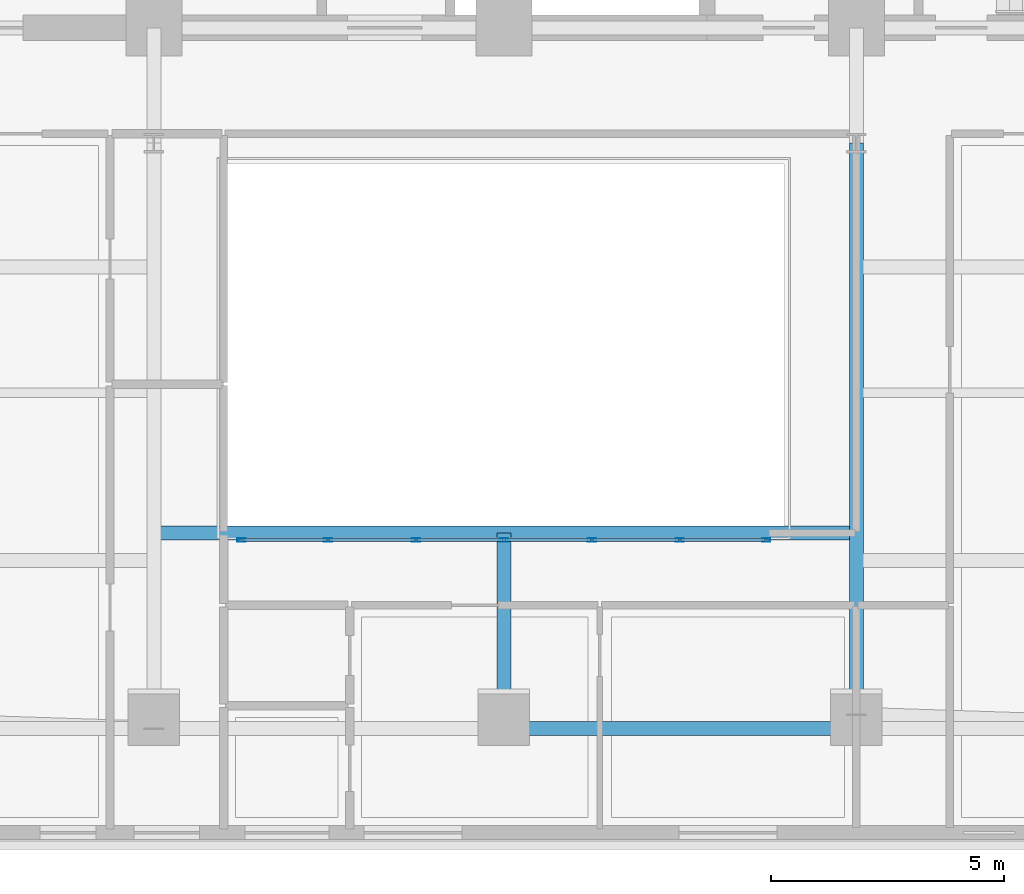
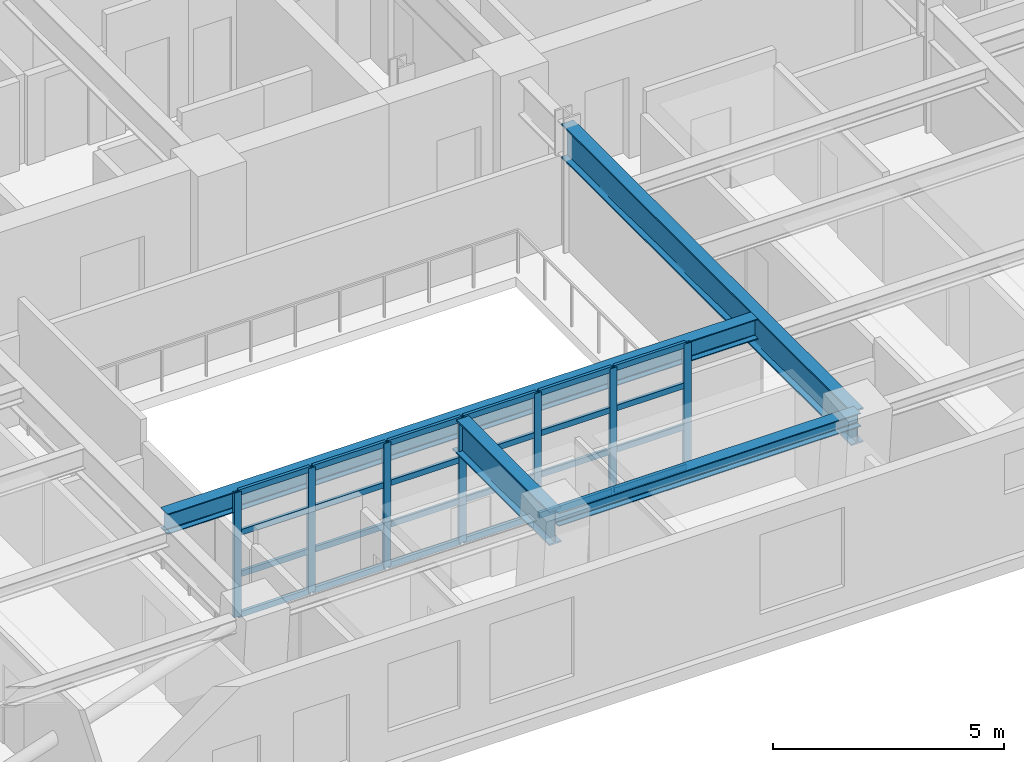
# One storey, part 2 of 12: 31 members, 4 beams, 1 element without a shape of its own.
"""IFC4 building model written with IfcOpenShell, lengths in metres."""

import ifcopenshell
import ifcopenshell.guid

model = None  # the IFC model being written
_history = None  # IfcOwnerHistory: only IFC2X3 demands one
_inside = {}  # id of a spatial element -> (the spatial element, [elements in it])
_under = {}  # id of a project, library or spatial element -> (it, [spatial elements below it])
_declared = {}  # id of a project -> (the project, [libraries it declares])
_typed = {}  # id of a type object -> (the type object, [elements of that type])
_made_of = {}  # id of a material, layer set ... -> (it, [elements and type objects made of it])


def new_model(schema):
    """Start an empty IFC model of exactly this schema.

    Asked for "IFC4X3", IfcOpenShell would pick the latest addendum, in which some entities
    have other attributes; the version numbers below select the first issue.
    IFC2X3 requires an IfcOwnerHistory on every rooted entity: one is made here for all.
    """
    global model, _history
    if schema == "IFC4X3":
        model = ifcopenshell.file(schema_version=(4, 3, 0, 0))
    else:
        model = ifcopenshell.file(schema=schema)
    _inside.clear()
    _under.clear()
    _declared.clear()
    _typed.clear()
    _made_of.clear()
    _history = None
    if model.schema == "IFC2X3":
        org = make("IfcOrganization", Name="unknown")
        user = make(
            "IfcPersonAndOrganization",
            ThePerson=make("IfcPerson", FamilyName="unknown"),
            TheOrganization=org,
        )
        app = make(
            "IfcApplication",
            ApplicationDeveloper=org,
            Version="unknown",
            ApplicationFullName="unknown",
            ApplicationIdentifier="unknown",
        )
        _history = make(
            "IfcOwnerHistory",
            OwningUser=user,
            OwningApplication=app,
            ChangeAction="ADDED",
            CreationDate=0,
        )
    return model


def make(cls, **values):
    """One entity of the class cls with the attributes given. An attribute that is None is left unset."""
    return model.create_entity(
        cls, **{name: value for name, value in values.items() if value is not None}
    )


def rooted(cls, **values):
    """An entity with a GlobalId (a new one), such as an element, a storey or a relation."""
    return make(cls, GlobalId=ifcopenshell.guid.new(), OwnerHistory=_history, **values)


def si_unit(unit_type, name, prefix=None):
    """IfcSIUnit, for example si_unit("LENGTHUNIT", "METRE", prefix="MILLI")."""
    return make("IfcSIUnit", UnitType=unit_type, Prefix=prefix, Name=name)


def assignment(units):
    """IfcUnitAssignment: the units of a project."""
    return None if units is None else make("IfcUnitAssignment", Units=units)


def point(xyz):
    """IfcCartesianPoint."""
    return None if xyz is None else make("IfcCartesianPoint", Coordinates=xyz)


def direction(xyz):
    """IfcDirection."""
    return None if xyz is None else make("IfcDirection", DirectionRatios=xyz)


def frame(location, z_axis=None, x_axis=None):
    """IfcAxis2Placement3D, a coordinate frame: its origin and axes. An axis left out is left unset."""
    return make(
        "IfcAxis2Placement3D",
        Location=point(location),
        Axis=direction(z_axis),
        RefDirection=direction(x_axis),
    )


def frame_2d(location, x_axis=None):
    """IfcAxis2Placement2D, a coordinate frame in the plane: its origin and x axis."""
    return make(
        "IfcAxis2Placement2D", Location=point(location), RefDirection=direction(x_axis)
    )


def origin():
    """The frame at (0, 0, 0) with its axes left unset."""
    return frame((0.0, 0.0, 0.0))


def origin_2d():
    """The frame at (0, 0) in the plane with its x axis left unset."""
    return frame_2d((0.0, 0.0))


def place(relative_to, where):
    """IfcLocalPlacement: puts the frame where relative to a parent placement (None: the world)."""
    return make(
        "IfcLocalPlacement", PlacementRelTo=relative_to, RelativePlacement=where
    )


def context(
    kind, dimensions, precision=None, world=None, true_north=None, identifier=None
):
    """IfcGeometricRepresentationContext, for example the 3D "Model" context."""
    return make(
        "IfcGeometricRepresentationContext",
        ContextIdentifier=identifier,
        ContextType=kind,
        CoordinateSpaceDimension=dimensions,
        Precision=precision,
        WorldCoordinateSystem=world,
        TrueNorth=true_north,
    )


def subcontext(parent, identifier, kind, view, scale=None):
    """IfcGeometricRepresentationSubContext, for example "Body" below "Model"."""
    return make(
        "IfcGeometricRepresentationSubContext",
        ContextIdentifier=identifier,
        ContextType=kind,
        ParentContext=parent,
        TargetScale=scale,
        TargetView=view,
    )


def project(units=None, contexts=None):
    """IfcProject with its units and contexts."""
    return rooted(
        "IfcProject",
        Name="project",
        RepresentationContexts=contexts,
        UnitsInContext=assignment(units),
    )


def spatial(cls, under=None, at=None, **own):
    """A site, building, storey or space (cls), placed at a placement, below another one or the project."""
    s = rooted(cls, ObjectPlacement=at, **own)
    if under is not None:
        _under.setdefault(under.id(), (under, []))[1].append(s)
    return s


def profile(cls, at=None, kind="AREA", **sizes):
    """A parametric profile (cls). Its sizes go by their IFC names, for example OverallWidth=200.0."""
    return make(cls, ProfileType=kind, Position=at, **sizes)


def hollow_rectangle(**sizes):
    """IfcRectangleHollowProfileDef."""
    return profile("IfcRectangleHollowProfileDef", **sizes)


def i_section(**sizes):
    """IfcIShapeProfileDef."""
    return profile("IfcIShapeProfileDef", **sizes)


def extrude(swept, where, along, depth):
    """IfcExtrudedAreaSolid: the profile swept, set in the frame where, extruded along a direction by depth."""
    return make(
        "IfcExtrudedAreaSolid",
        SweptArea=swept,
        Position=where,
        ExtrudedDirection=direction(along),
        Depth=depth,
    )


def shape(context_of_items, identifier, shape_type, items):
    """IfcShapeRepresentation: the items that make up one representation, for example the "Body"."""
    return make(
        "IfcShapeRepresentation",
        ContextOfItems=context_of_items,
        RepresentationIdentifier=identifier,
        RepresentationType=shape_type,
        Items=items,
    )


def material(Name=None, Category=None):
    """IfcMaterial."""
    return make("IfcMaterial", Name=Name, Category=Category)


def layer(
    of_material, thickness, ventilated=None, Name=None, Category=None, Priority=None
):
    """IfcMaterialLayer: one layer of a wall or slab, of a material (None: an air gap)."""
    return make(
        "IfcMaterialLayer",
        Material=of_material,
        LayerThickness=thickness,
        IsVentilated=ventilated,
        Name=Name,
        Category=Category,
        Priority=Priority,
    )


def layer_set(layers, Name=None):
    """IfcMaterialLayerSet."""
    return make("IfcMaterialLayerSet", MaterialLayers=layers, LayerSetName=Name)


def material_profile(
    of_material, cross_section, Name=None, Category=None, Priority=None
):
    """IfcMaterialProfile: a cross section and its material."""
    return make(
        "IfcMaterialProfile",
        Name=Name,
        Material=of_material,
        Profile=cross_section,
        Priority=Priority,
        Category=Category,
    )


def profile_set(profiles, Name=None, composite=None):
    """IfcMaterialProfileSet."""
    return make(
        "IfcMaterialProfileSet",
        Name=Name,
        MaterialProfiles=profiles,
        CompositeProfile=composite,
    )


def made_of(thing, what):
    """Note that an element or type object is made of a material, layer set ...; save() writes the relation."""
    if what is not None:
        _made_of.setdefault(what.id(), (what, []))[1].append(thing)
    return thing


def type_object(cls, material=None, **own):
    """A type object (cls), such as IfcWallType, which elements share."""
    return made_of(rooted(cls, **own), material)


def element(
    cls,
    number,
    at=None,
    inside=None,
    cuts=None,
    type_object=None,
    material=None,
    context=None,
    identifier="Body",
    shape_type=None,
    held_by="IfcProductDefinitionShape",
    body=None,
    shapes=None,
    **own,
):
    """One element of the class cls, such as IfcWall. Its Tag is "e" and its number.

    at: its placement. inside: the storey or other place that contains it. cuts: it is an
    opening in that element (IfcRelVoidsElement). A single representation is given by context,
    identifier, shape_type and body (its items); several are given by shapes. held_by: the class
    of the entity that holds the representations. save() writes the other relations.
    """
    e = rooted(cls, Tag="e%d" % number, ObjectPlacement=at, **own)
    if body is not None:
        shapes = [shape(context, identifier, shape_type, body)]
    if shapes is not None:
        e.Representation = make(held_by, Representations=shapes)
    if inside is not None:
        _inside.setdefault(inside.id(), (inside, []))[1].append(e)
    if cuts is not None:
        rooted(
            "IfcRelVoidsElement", RelatingBuildingElement=cuts, RelatedOpeningElement=e
        )
    if type_object is not None:
        _typed.setdefault(type_object.id(), (type_object, []))[1].append(e)
    return made_of(e, material)


def aggregate(whole, parts):
    """IfcRelAggregates: a whole, such as a stair, and the parts it consists of."""
    return rooted("IfcRelAggregates", RelatingObject=whole, RelatedObjects=parts)


def save(model, path):
    """Write the relations noted so far, then the file.

    IfcRelAggregates (storeys below a building ...), IfcRelContainedInSpatialStructure (elements
    in a storey), IfcRelDefinesByType, IfcRelAssociatesMaterial and IfcRelDeclares: one each for
    every whole, place, type object, material and project.
    """
    for whole, parts in _under.values():
        aggregate(whole, parts)
    for where, things in _inside.values():
        rooted(
            "IfcRelContainedInSpatialStructure",
            RelatedElements=things,
            RelatingStructure=where,
        )
    for kind, things in _typed.values():
        rooted("IfcRelDefinesByType", RelatedObjects=things, RelatingType=kind)
    for what, things in _made_of.values():
        rooted("IfcRelAssociatesMaterial", RelatedObjects=things, RelatingMaterial=what)
    for by, libraries in _declared.values():
        rooted("IfcRelDeclares", RelatingContext=by, RelatedDefinitions=libraries)
    model.write(path)


model = new_model("IFC4")

# Units and contexts
model_context = context("Model", 3, precision=1e-05, world=origin(), true_north=direction((0.0, 1.0)))
body_context = subcontext(model_context, "Body", "Model", "MODEL_VIEW")
ifc_project = project(units=[si_unit("LENGTHUNIT", "METRE"), si_unit("AREAUNIT", "SQUARE_METRE"), si_unit("VOLUMEUNIT", "CUBIC_METRE"), si_unit("PLANEANGLEUNIT", "RADIAN"), si_unit("MASSUNIT", "GRAM", prefix="KILO")], contexts=[model_context])

# Site, building, storey
site_placement = place(None, origin())
site = spatial("IfcSite", under=ifc_project, at=site_placement, CompositionType="ELEMENT")
building_placement = place(site_placement, origin())
building = spatial("IfcBuilding", under=site, at=building_placement, Name="Zarnavel Station Tower", CompositionType="ELEMENT")
storey_placement = place(building_placement, frame((0.0, 0.0, 144.800048828125)))
storey = spatial("IfcBuildingStorey", under=building, at=storey_placement, Name="L39", CompositionType="ELEMENT", Elevation=144.800048828125)

# Curtain wall, members
ifc_material_1 = material(Name="Aluminium Dark Anodised and Solar-Control Glass", Category="aluminium")
ifc_layer = layer(ifc_material_1, 0.179931640625)
ifc_layer_set = layer_set([ifc_layer], Name="CWS4")
curtain_wall_type = type_object("IfcCurtainWallType", Name="CWS4", PredefinedType="NOTDEFINED", material=ifc_layer_set)
curtain_wall_placement = place(storey_placement, origin())
curtain_wall = element("IfcCurtainWall", 1, at=curtain_wall_placement, inside=storey, type_object=curtain_wall_type, Name="L39 Curtain Wall CWS4-L39-AS", PredefinedType="NOTDEFINED")
ifc_material_2 = material(Name="Steel S355J2 (Black Fluoropolymer Coated)", Category="steel")
ifc_material_profile_1 = material_profile(ifc_material_2, hollow_rectangle(XDim=0.080078125, YDim=0.179931640625, WallThickness=0.00634765625, at=origin_2d()), Name="RHS180x80x6.3")
ifc_profile_set_1 = profile_set([ifc_material_profile_1], Name="Steel S355J2 (Black Fluoropolymer Coated)")
member_type_1 = type_object("IfcMemberType", Name="CWS4_MUL", PredefinedType="MULLION", material=ifc_profile_set_1)
member_1_placement = place(storey_placement, frame((23.179931640625, 16.85009765625, 0.0), z_axis=(0.0, 0.0, 1.0), x_axis=(0.0, 1.0, 0.0)))
member_1 = element("IfcMember", 2, at=member_1_placement, type_object=member_type_1, Name="CW4 mullion 1", PredefinedType="MULLION", context=body_context, shape_type="SweptSolid", body=[
    extrude(hollow_rectangle(XDim=0.080078125, YDim=0.179931640625, WallThickness=0.00634765625, at=origin_2d()), origin(), (0.0, 0.0, 1.0), 3.2900390625),
])
member_2_placement = place(storey_placement, frame((25.033447265625, 16.85009765625, 0.0), z_axis=(0.0, 0.0, 1.0), x_axis=(0.0, 1.0, 0.0)))
member_2 = element("IfcMember", 3, at=member_2_placement, type_object=member_type_1, Name="CW4 mullion 2", PredefinedType="MULLION", context=body_context, shape_type="SweptSolid", body=[
    extrude(hollow_rectangle(XDim=0.080078125, YDim=0.179931640625, WallThickness=0.00634765625, at=origin_2d()), origin(), (0.0, 0.0, 1.0), 3.2900390625),
])
member_3_placement = place(storey_placement, frame((26.916748046875, 16.85009765625, 0.0), z_axis=(0.0, 0.0, 1.0), x_axis=(0.0, 1.0, 0.0)))
member_3 = element("IfcMember", 4, at=member_3_placement, type_object=member_type_1, Name="CW4 mullion 3", PredefinedType="MULLION", context=body_context, shape_type="SweptSolid", body=[
    extrude(hollow_rectangle(XDim=0.080078125, YDim=0.179931640625, WallThickness=0.00634765625, at=origin_2d()), origin(), (0.0, 0.0, 1.0), 3.2900390625),
])
member_4_placement = place(storey_placement, frame((28.800048828125, 16.85009765625, 0.0), z_axis=(0.0, 0.0, 1.0), x_axis=(0.0, 1.0, 0.0)))
member_4 = element("IfcMember", 5, at=member_4_placement, type_object=member_type_1, Name="CW4 mullion 4", PredefinedType="MULLION", context=body_context, shape_type="SweptSolid", body=[
    extrude(hollow_rectangle(XDim=0.080078125, YDim=0.179931640625, WallThickness=0.00634765625, at=origin_2d()), origin(), (0.0, 0.0, 1.0), 3.2900390625),
])
member_5_placement = place(storey_placement, frame((30.683349609375, 16.85009765625, 0.0), z_axis=(0.0, 0.0, 1.0), x_axis=(0.0, 1.0, 0.0)))
member_5 = element("IfcMember", 6, at=member_5_placement, type_object=member_type_1, Name="CW4 mullion 5", PredefinedType="MULLION", context=body_context, shape_type="SweptSolid", body=[
    extrude(hollow_rectangle(XDim=0.080078125, YDim=0.179931640625, WallThickness=0.00634765625, at=origin_2d()), origin(), (0.0, 0.0, 1.0), 3.2900390625),
])
member_6_placement = place(storey_placement, frame((32.566650390625, 16.85009765625, 0.0), z_axis=(0.0, 0.0, 1.0), x_axis=(0.0, 1.0, 0.0)))
member_6 = element("IfcMember", 7, at=member_6_placement, type_object=member_type_1, Name="CW4 mullion 6", PredefinedType="MULLION", context=body_context, shape_type="SweptSolid", body=[
    extrude(hollow_rectangle(XDim=0.080078125, YDim=0.179931640625, WallThickness=0.00634765625, at=origin_2d()), origin(), (0.0, 0.0, 1.0), 3.2900390625),
])
member_7_placement = place(storey_placement, frame((34.419921875, 16.85009765625, 0.0), z_axis=(0.0, 0.0, 1.0), x_axis=(0.0, 1.0, 0.0)))
member_7 = element("IfcMember", 8, at=member_7_placement, type_object=member_type_1, Name="CW4 mullion 7", PredefinedType="MULLION", context=body_context, shape_type="SweptSolid", body=[
    extrude(hollow_rectangle(XDim=0.080078125, YDim=0.179931640625, WallThickness=0.00634765625, at=origin_2d()), origin(), (0.0, 0.0, 1.0), 3.2900390625),
])
ifc_material_3 = material(Name="Steel S355J2 (Black Fluoropolymer Coated)", Category="steel")
ifc_material_profile_2 = material_profile(ifc_material_3, hollow_rectangle(XDim=0.074951171875, YDim=0.14990234375, WallThickness=0.00634765625, at=origin_2d()), Name="RHS150x75x6.3")
ifc_profile_set_2 = profile_set([ifc_material_profile_2], Name="Steel S355J2 (Black Fluoropolymer Coated)")
member_type_2 = type_object("IfcMemberType", Name="CWS4_TRN", PredefinedType="USERDEFINED", material=ifc_profile_set_2)
member_8_placement = place(storey_placement, frame((23.2099609375, 16.85009765625, 0.030029296875), z_axis=(1.0, 0.0, 0.0), x_axis=(0.0, 1.0, 0.0)))
member_8 = element("IfcMember", 9, at=member_8_placement, type_object=member_type_2, Name="CW4 transom 1.1", ObjectType="TRANSOM", PredefinedType="USERDEFINED", context=body_context, shape_type="SweptSolid", body=[
    extrude(hollow_rectangle(XDim=0.074951171875, YDim=0.14990234375, WallThickness=0.00634765625, at=origin_2d()), origin(), (0.0, 0.0, 1.0), 1.79345703125),
])
member_9_placement = place(storey_placement, frame((23.2099609375, 16.85009765625, 1.0966796875), z_axis=(1.0, 0.0, 0.0), x_axis=(0.0, 1.0, 0.0)))
member_9 = element("IfcMember", 10, at=member_9_placement, type_object=member_type_2, Name="CW4 transom 1.2", ObjectType="TRANSOM", PredefinedType="USERDEFINED", context=body_context, shape_type="SweptSolid", body=[
    extrude(hollow_rectangle(XDim=0.074951171875, YDim=0.14990234375, WallThickness=0.00634765625, at=origin_2d()), origin(), (0.0, 0.0, 1.0), 1.79345703125),
])
member_10_placement = place(storey_placement, frame((23.2099609375, 16.85009765625, 2.193359375), z_axis=(1.0, 0.0, 0.0), x_axis=(0.0, 1.0, 0.0)))
member_10 = element("IfcMember", 11, at=member_10_placement, type_object=member_type_2, Name="CW4 transom 1.3", ObjectType="TRANSOM", PredefinedType="USERDEFINED", context=body_context, shape_type="SweptSolid", body=[
    extrude(hollow_rectangle(XDim=0.074951171875, YDim=0.14990234375, WallThickness=0.00634765625, at=origin_2d()), origin(), (0.0, 0.0, 1.0), 1.79345703125),
])
member_11_placement = place(storey_placement, frame((23.2099609375, 16.85009765625, 3.260009765625), z_axis=(1.0, 0.0, 0.0), x_axis=(0.0, 1.0, 0.0)))
member_11 = element("IfcMember", 12, at=member_11_placement, type_object=member_type_2, Name="CW4 transom 1.4", ObjectType="TRANSOM", PredefinedType="USERDEFINED", context=body_context, shape_type="SweptSolid", body=[
    extrude(hollow_rectangle(XDim=0.074951171875, YDim=0.14990234375, WallThickness=0.00634765625, at=origin_2d()), origin(), (0.0, 0.0, 1.0), 1.79345703125),
])
member_12_placement = place(storey_placement, frame((25.063232421875, 16.85009765625, 0.030029296875), z_axis=(1.0, 0.0, 0.0), x_axis=(0.0, 1.0, 0.0)))
member_12 = element("IfcMember", 13, at=member_12_placement, type_object=member_type_2, Name="CW4 transom 2.1", ObjectType="TRANSOM", PredefinedType="USERDEFINED", context=body_context, shape_type="SweptSolid", body=[
    extrude(hollow_rectangle(XDim=0.074951171875, YDim=0.14990234375, WallThickness=0.00634765625, at=origin_2d()), origin(), (0.0, 0.0, 1.0), 1.823486328125),
])
member_13_placement = place(storey_placement, frame((25.063232421875, 16.85009765625, 1.0966796875), z_axis=(1.0, 0.0, 0.0), x_axis=(0.0, 1.0, 0.0)))
member_13 = element("IfcMember", 14, at=member_13_placement, type_object=member_type_2, Name="CW4 transom 2.2", ObjectType="TRANSOM", PredefinedType="USERDEFINED", context=body_context, shape_type="SweptSolid", body=[
    extrude(hollow_rectangle(XDim=0.074951171875, YDim=0.14990234375, WallThickness=0.00634765625, at=origin_2d()), origin(), (0.0, 0.0, 1.0), 1.823486328125),
])
member_14_placement = place(storey_placement, frame((25.063232421875, 16.85009765625, 2.193359375), z_axis=(1.0, 0.0, 0.0), x_axis=(0.0, 1.0, 0.0)))
member_14 = element("IfcMember", 15, at=member_14_placement, type_object=member_type_2, Name="CW4 transom 2.3", ObjectType="TRANSOM", PredefinedType="USERDEFINED", context=body_context, shape_type="SweptSolid", body=[
    extrude(hollow_rectangle(XDim=0.074951171875, YDim=0.14990234375, WallThickness=0.00634765625, at=origin_2d()), origin(), (0.0, 0.0, 1.0), 1.823486328125),
])
member_15_placement = place(storey_placement, frame((25.063232421875, 16.85009765625, 3.260009765625), z_axis=(1.0, 0.0, 0.0), x_axis=(0.0, 1.0, 0.0)))
member_15 = element("IfcMember", 16, at=member_15_placement, type_object=member_type_2, Name="CW4 transom 2.4", ObjectType="TRANSOM", PredefinedType="USERDEFINED", context=body_context, shape_type="SweptSolid", body=[
    extrude(hollow_rectangle(XDim=0.074951171875, YDim=0.14990234375, WallThickness=0.00634765625, at=origin_2d()), origin(), (0.0, 0.0, 1.0), 1.823486328125),
])
member_16_placement = place(storey_placement, frame((26.94677734375, 16.85009765625, 0.030029296875), z_axis=(1.0, 0.0, 0.0), x_axis=(0.0, 1.0, 0.0)))
member_16 = element("IfcMember", 17, at=member_16_placement, type_object=member_type_2, Name="CW4 transom 3.1", ObjectType="TRANSOM", PredefinedType="USERDEFINED", context=body_context, shape_type="SweptSolid", body=[
    extrude(hollow_rectangle(XDim=0.074951171875, YDim=0.14990234375, WallThickness=0.00634765625, at=origin_2d()), origin(), (0.0, 0.0, 1.0), 1.8232421875),
])
member_17_placement = place(storey_placement, frame((26.94677734375, 16.85009765625, 1.0966796875), z_axis=(1.0, 0.0, 0.0), x_axis=(0.0, 1.0, 0.0)))
member_17 = element("IfcMember", 18, at=member_17_placement, type_object=member_type_2, Name="CW4 transom 3.2", ObjectType="TRANSOM", PredefinedType="USERDEFINED", context=body_context, shape_type="SweptSolid", body=[
    extrude(hollow_rectangle(XDim=0.074951171875, YDim=0.14990234375, WallThickness=0.00634765625, at=origin_2d()), origin(), (0.0, 0.0, 1.0), 1.8232421875),
])
member_18_placement = place(storey_placement, frame((26.94677734375, 16.85009765625, 2.193359375), z_axis=(1.0, 0.0, 0.0), x_axis=(0.0, 1.0, 0.0)))
member_18 = element("IfcMember", 19, at=member_18_placement, type_object=member_type_2, Name="CW4 transom 3.3", ObjectType="TRANSOM", PredefinedType="USERDEFINED", context=body_context, shape_type="SweptSolid", body=[
    extrude(hollow_rectangle(XDim=0.074951171875, YDim=0.14990234375, WallThickness=0.00634765625, at=origin_2d()), origin(), (0.0, 0.0, 1.0), 1.8232421875),
])
member_19_placement = place(storey_placement, frame((26.94677734375, 16.85009765625, 3.260009765625), z_axis=(1.0, 0.0, 0.0), x_axis=(0.0, 1.0, 0.0)))
member_19 = element("IfcMember", 20, at=member_19_placement, type_object=member_type_2, Name="CW4 transom 3.4", ObjectType="TRANSOM", PredefinedType="USERDEFINED", context=body_context, shape_type="SweptSolid", body=[
    extrude(hollow_rectangle(XDim=0.074951171875, YDim=0.14990234375, WallThickness=0.00634765625, at=origin_2d()), origin(), (0.0, 0.0, 1.0), 1.8232421875),
])
member_20_placement = place(storey_placement, frame((28.830078125, 16.85009765625, 0.030029296875), z_axis=(1.0, 0.0, 0.0), x_axis=(0.0, 1.0, 0.0)))
member_20 = element("IfcMember", 21, at=member_20_placement, type_object=member_type_2, Name="CW4 transom 4.1", ObjectType="TRANSOM", PredefinedType="USERDEFINED", context=body_context, shape_type="SweptSolid", body=[
    extrude(hollow_rectangle(XDim=0.074951171875, YDim=0.14990234375, WallThickness=0.00634765625, at=origin_2d()), origin(), (0.0, 0.0, 1.0), 1.8232421875),
])
member_21_placement = place(storey_placement, frame((28.830078125, 16.85009765625, 1.0966796875), z_axis=(1.0, 0.0, 0.0), x_axis=(0.0, 1.0, 0.0)))
member_21 = element("IfcMember", 22, at=member_21_placement, type_object=member_type_2, Name="CW4 transom 4.2", ObjectType="TRANSOM", PredefinedType="USERDEFINED", context=body_context, shape_type="SweptSolid", body=[
    extrude(hollow_rectangle(XDim=0.074951171875, YDim=0.14990234375, WallThickness=0.00634765625, at=origin_2d()), origin(), (0.0, 0.0, 1.0), 1.8232421875),
])
member_22_placement = place(storey_placement, frame((28.830078125, 16.85009765625, 2.193359375), z_axis=(1.0, 0.0, 0.0), x_axis=(0.0, 1.0, 0.0)))
member_22 = element("IfcMember", 23, at=member_22_placement, type_object=member_type_2, Name="CW4 transom 4.3", ObjectType="TRANSOM", PredefinedType="USERDEFINED", context=body_context, shape_type="SweptSolid", body=[
    extrude(hollow_rectangle(XDim=0.074951171875, YDim=0.14990234375, WallThickness=0.00634765625, at=origin_2d()), origin(), (0.0, 0.0, 1.0), 1.8232421875),
])
member_23_placement = place(storey_placement, frame((28.830078125, 16.85009765625, 3.260009765625), z_axis=(1.0, 0.0, 0.0), x_axis=(0.0, 1.0, 0.0)))
member_23 = element("IfcMember", 24, at=member_23_placement, type_object=member_type_2, Name="CW4 transom 4.4", ObjectType="TRANSOM", PredefinedType="USERDEFINED", context=body_context, shape_type="SweptSolid", body=[
    extrude(hollow_rectangle(XDim=0.074951171875, YDim=0.14990234375, WallThickness=0.00634765625, at=origin_2d()), origin(), (0.0, 0.0, 1.0), 1.8232421875),
])
member_24_placement = place(storey_placement, frame((30.71337890625, 16.85009765625, 0.030029296875), z_axis=(1.0, 0.0, 0.0), x_axis=(0.0, 1.0, 0.0)))
member_24 = element("IfcMember", 25, at=member_24_placement, type_object=member_type_2, Name="CW4 transom 5.1", ObjectType="TRANSOM", PredefinedType="USERDEFINED", context=body_context, shape_type="SweptSolid", body=[
    extrude(hollow_rectangle(XDim=0.074951171875, YDim=0.14990234375, WallThickness=0.00634765625, at=origin_2d()), origin(), (0.0, 0.0, 1.0), 1.8232421875),
])
member_25_placement = place(storey_placement, frame((30.71337890625, 16.85009765625, 1.0966796875), z_axis=(1.0, 0.0, 0.0), x_axis=(0.0, 1.0, 0.0)))
member_25 = element("IfcMember", 26, at=member_25_placement, type_object=member_type_2, Name="CW4 transom 5.2", ObjectType="TRANSOM", PredefinedType="USERDEFINED", context=body_context, shape_type="SweptSolid", body=[
    extrude(hollow_rectangle(XDim=0.074951171875, YDim=0.14990234375, WallThickness=0.00634765625, at=origin_2d()), origin(), (0.0, 0.0, 1.0), 1.8232421875),
])
member_26_placement = place(storey_placement, frame((30.71337890625, 16.85009765625, 2.193359375), z_axis=(1.0, 0.0, 0.0), x_axis=(0.0, 1.0, 0.0)))
member_26 = element("IfcMember", 27, at=member_26_placement, type_object=member_type_2, Name="CW4 transom 5.3", ObjectType="TRANSOM", PredefinedType="USERDEFINED", context=body_context, shape_type="SweptSolid", body=[
    extrude(hollow_rectangle(XDim=0.074951171875, YDim=0.14990234375, WallThickness=0.00634765625, at=origin_2d()), origin(), (0.0, 0.0, 1.0), 1.8232421875),
])
member_27_placement = place(storey_placement, frame((30.71337890625, 16.85009765625, 3.260009765625), z_axis=(1.0, 0.0, 0.0), x_axis=(0.0, 1.0, 0.0)))
member_27 = element("IfcMember", 28, at=member_27_placement, type_object=member_type_2, Name="CW4 transom 5.4", ObjectType="TRANSOM", PredefinedType="USERDEFINED", context=body_context, shape_type="SweptSolid", body=[
    extrude(hollow_rectangle(XDim=0.074951171875, YDim=0.14990234375, WallThickness=0.00634765625, at=origin_2d()), origin(), (0.0, 0.0, 1.0), 1.8232421875),
])
member_28_placement = place(storey_placement, frame((32.5966796875, 16.85009765625, 0.030029296875), z_axis=(1.0, 0.0, 0.0), x_axis=(0.0, 1.0, 0.0)))
member_28 = element("IfcMember", 29, at=member_28_placement, type_object=member_type_2, Name="CW4 transom 6.1", ObjectType="TRANSOM", PredefinedType="USERDEFINED", context=body_context, shape_type="SweptSolid", body=[
    extrude(hollow_rectangle(XDim=0.074951171875, YDim=0.14990234375, WallThickness=0.00634765625, at=origin_2d()), origin(), (0.0, 0.0, 1.0), 1.793212890625),
])
member_29_placement = place(storey_placement, frame((32.5966796875, 16.85009765625, 1.0966796875), z_axis=(1.0, 0.0, 0.0), x_axis=(0.0, 1.0, 0.0)))
member_29 = element("IfcMember", 30, at=member_29_placement, type_object=member_type_2, Name="CW4 transom 6.2", ObjectType="TRANSOM", PredefinedType="USERDEFINED", context=body_context, shape_type="SweptSolid", body=[
    extrude(hollow_rectangle(XDim=0.074951171875, YDim=0.14990234375, WallThickness=0.00634765625, at=origin_2d()), origin(), (0.0, 0.0, 1.0), 1.793212890625),
])
member_30_placement = place(storey_placement, frame((32.5966796875, 16.85009765625, 2.193359375), z_axis=(1.0, 0.0, 0.0), x_axis=(0.0, 1.0, 0.0)))
member_30 = element("IfcMember", 31, at=member_30_placement, type_object=member_type_2, Name="CW4 transom 6.3", ObjectType="TRANSOM", PredefinedType="USERDEFINED", context=body_context, shape_type="SweptSolid", body=[
    extrude(hollow_rectangle(XDim=0.074951171875, YDim=0.14990234375, WallThickness=0.00634765625, at=origin_2d()), origin(), (0.0, 0.0, 1.0), 1.793212890625),
])
member_31_placement = place(storey_placement, frame((32.5966796875, 16.85009765625, 3.260009765625), z_axis=(1.0, 0.0, 0.0), x_axis=(0.0, 1.0, 0.0)))
member_31 = element("IfcMember", 32, at=member_31_placement, type_object=member_type_2, Name="CW4 transom 6.4", ObjectType="TRANSOM", PredefinedType="USERDEFINED", context=body_context, shape_type="SweptSolid", body=[
    extrude(hollow_rectangle(XDim=0.074951171875, YDim=0.14990234375, WallThickness=0.00634765625, at=origin_2d()), origin(), (0.0, 0.0, 1.0), 1.793212890625),
])
aggregate(curtain_wall, [member_1, member_2, member_3, member_4, member_5, member_6, member_7, member_8, member_9, member_10, member_11, member_12, member_13, member_14, member_15, member_16, member_17, member_18, member_19, member_20, member_21, member_22, member_23, member_24, member_25, member_26, member_27, member_28, member_29, member_30, member_31])

# Beams
ifc_material_4 = material(Name="Steel S355J2", Category="steel")
ifc_material_profile_3 = material_profile(ifc_material_4, i_section(OverallWidth=0.300048828125, OverallDepth=0.360107421875, WebThickness=0.012451171875, FlangeThickness=0.0224609375, FilletRadius=0.027099609375, at=origin_2d()), Name="HEB360")
ifc_profile_set_3 = profile_set([ifc_material_profile_3], Name="Steel S355J2")
beam_type_1 = type_object("IfcBeamType", Name="EB_HEB360", PredefinedType="SPANDREL", material=ifc_profile_set_3)
beam_1_placement = place(storey_placement, frame((28.800048828125, 12.80810546875, 3.10986328125), z_axis=(1.0, 0.0, 0.0), x_axis=(0.0, 1.0, 0.0)))
element("IfcBeam", 33, at=beam_1_placement, inside=storey, type_object=beam_type_1, Name="L39 South Raked Spandrel 3", PredefinedType="SPANDREL", context=body_context, shape_type="SweptSolid", body=[
    extrude(i_section(OverallWidth=0.300048828125, OverallDepth=0.360107421875, WebThickness=0.012451171875, FlangeThickness=0.0224609375, FilletRadius=0.027099609375, at=origin_2d()), origin(), (0.0, 0.0, 1.0), 7.550048828125),
])
ifc_material_5 = material(Name="Steel S355J2", Category="steel")
ifc_material_profile_4 = material_profile(ifc_material_5, i_section(OverallWidth=0.300048828125, OverallDepth=0.5400390625, WebThickness=0.012451171875, FlangeThickness=0.02392578125, FilletRadius=0.027099609375, at=origin_2d()), Name="HEA550")
ifc_profile_set_4 = profile_set([ifc_material_profile_4], Name="Steel S355J2")
beam_type_2 = type_object("IfcBeamType", Name="FB_HEA550", PredefinedType="BEAM", material=ifc_profile_set_4)
beam_2_placement = place(storey_placement, frame((21.445068359375, 17.0, 3.02001953125), z_axis=(1.0, 0.0, 0.0), x_axis=(0.0, 1.0, 0.0)))
element("IfcBeam", 34, at=beam_2_placement, inside=storey, type_object=beam_type_2, Name="L39 Atrium South Edge Girder", PredefinedType="BEAM", context=body_context, shape_type="SweptSolid", body=[
    extrude(i_section(OverallWidth=0.300048828125, OverallDepth=0.5400390625, WebThickness=0.012451171875, FlangeThickness=0.02392578125, FilletRadius=0.027099609375, at=origin_2d()), origin(), (0.0, 0.0, 1.0), 14.760009765625),
])
ifc_material_6 = material(Name="Steel S460M", Category="steel")
ifc_material_profile_5 = material_profile(ifc_material_6, i_section(OverallWidth=0.302001953125, OverallDepth=0.909912109375, WebThickness=0.02099609375, FlangeThickness=0.0400390625, FilletRadius=0.030029296875, at=origin_2d()), Name="HEM900")
ifc_profile_set_5 = profile_set([ifc_material_profile_5], Name="Steel S460M")
beam_type_3 = type_object("IfcBeamType", Name="TG_HEM900", PredefinedType="USERDEFINED", material=ifc_profile_set_5)
beam_3_placement = place(storey_placement, frame((28.800048828125, 12.80810546875, 2.8349609375), z_axis=(0.0, 1.0, 0.0), x_axis=(-1.0, 0.0, 0.0)))
element("IfcBeam", 35, at=beam_3_placement, inside=storey, type_object=beam_type_3, Name="L39 Central Atrium-South Girder", ObjectType="GIRDER", PredefinedType="USERDEFINED", context=body_context, shape_type="SweptSolid", body=[
    extrude(i_section(OverallWidth=0.302001953125, OverallDepth=0.909912109375, WebThickness=0.02099609375, FlangeThickness=0.0400390625, FilletRadius=0.030029296875, at=origin_2d()), origin(), (0.0, 0.0, 1.0), 4.19189453125),
])
beam_4_placement = place(storey_placement, frame((36.35009765625, 12.80810546875, 2.8349609375), z_axis=(0.0, 1.0, 0.0), x_axis=(-1.0, 0.0, 0.0)))
element("IfcBeam", 36, at=beam_4_placement, inside=storey, type_object=beam_type_3, Name="L39 South-Zone NS Girder 4", ObjectType="GIRDER", PredefinedType="USERDEFINED", context=body_context, shape_type="SweptSolid", body=[
    extrude(i_section(OverallWidth=0.302001953125, OverallDepth=0.909912109375, WebThickness=0.02099609375, FlangeThickness=0.0400390625, FilletRadius=0.030029296875, at=origin_2d()), origin(), (0.0, 0.0, 1.0), 12.5419921875),
])

save(model, "model.ifc")
